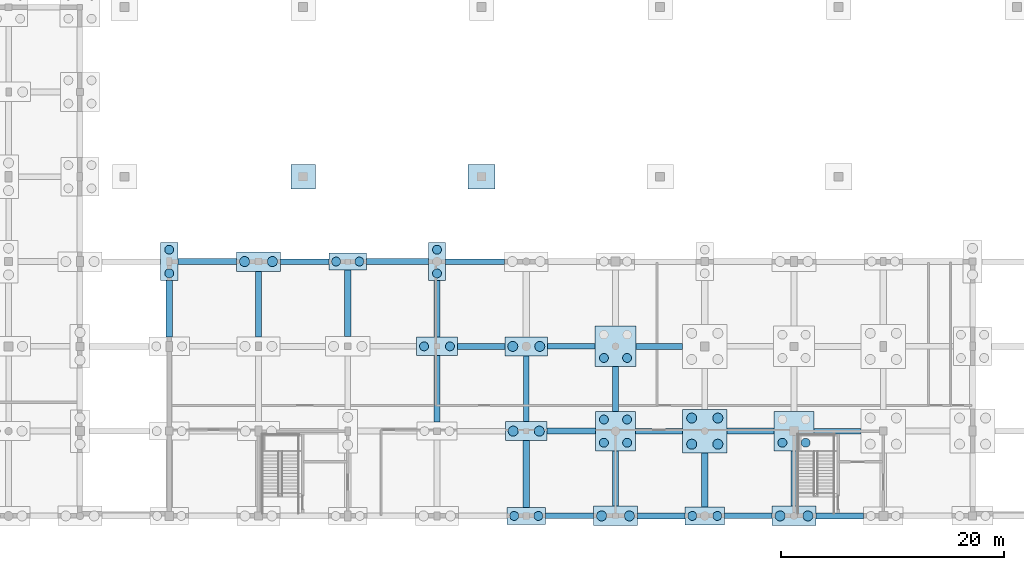
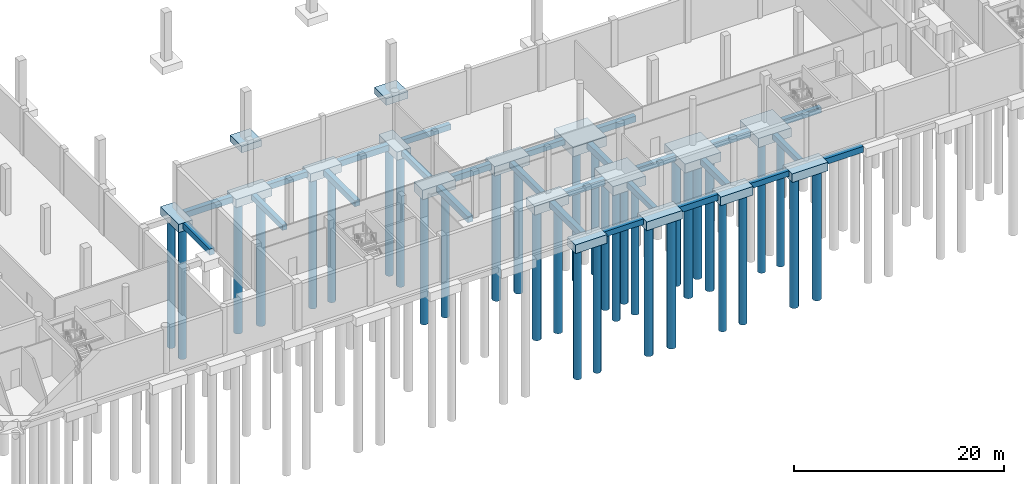
# One storey, part 6 of 44: 43 footings, 34 piles.
"""IFC4 building model written with IfcOpenShell, lengths in metres."""

from ifc_helpers import new_model, si_unit, direction, frame, origin, origin_2d, place, context, subcontext, project, spatial, polyline, circle, outline, extrude, material, material_profile, profile_set, type_object, element, save


model = new_model("IFC4")

# Units and contexts
model_context = context("Model", 3, precision=1e-05, world=origin(), true_north=direction((0.0, 1.0)))
body_context = subcontext(model_context, "Body", "Model", "MODEL_VIEW")
ifc_project = project(units=[si_unit("LENGTHUNIT", "METRE"), si_unit("AREAUNIT", "SQUARE_METRE"), si_unit("VOLUMEUNIT", "CUBIC_METRE"), si_unit("PLANEANGLEUNIT", "RADIAN"), si_unit("MASSUNIT", "GRAM", prefix="KILO")], contexts=[model_context])

# Site, building, storey
site_placement = place(None, origin())
site = spatial("IfcSite", under=ifc_project, at=site_placement, CompositionType="ELEMENT")
building_placement = place(site_placement, origin())
building = spatial("IfcBuilding", under=site, at=building_placement, Name="Khelvaren Railside Concert Hall", CompositionType="ELEMENT")
storey_placement = place(building_placement, frame((0.0, 0.0, -5.39990234375)))
storey = spatial("IfcBuildingStorey", under=building, at=storey_placement, Name="B1", CompositionType="ELEMENT", Elevation=-5.39990234375)

# Piles
ifc_material = material(Name="Concrete C35/45", Category="concrete")
ifc_material_profile_1 = material_profile(ifc_material, circle(Radius=0.449951171875, at=origin_2d()), Name="BP D900")
ifc_profile_set_1 = profile_set([ifc_material_profile_1], Name="Concrete C35/45")
pile_type_1 = type_object("IfcPileType", Name="BP51", PredefinedType="BORED", material=ifc_profile_set_1)
for number, where, z_axis, x_axis, name in (
    (1, (70.75, 22.800048828125, -1.35009765625), (0.0, 0.0, -1.0), (1.0, 0.0, 0.0), "Bored Pile BP51 PC-V3-116-1"),
    (2, (73.25, 22.800048828125, -1.35009765625), (0.0, 0.0, -1.0), (1.0, 0.0, 0.0), "Bored Pile BP51 PC-V3-116-2"),
):
    element("IfcPile", number, at=place(storey_placement, frame(where, z_axis=z_axis, x_axis=x_axis)), inside=storey, type_object=pile_type_1, Name=name, PredefinedType="BORED", context=body_context, shape_type="SweptSolid", body=[
        extrude(circle(Radius=0.449951171875, at=origin_2d()), origin(), (0.0, 0.0, 1.0), 15.25),
    ])
for number, where, z_axis, x_axis, name in (
    (3, (94.830078125, 7.60009765625, -1.4501953125), (0.0, 0.0, -1.0), (1.0, 0.0, 0.0), "Bored Pile BP51 PC-V3-126-1"),
    (4, (97.169921875, 7.60009765625, -1.4501953125), (0.0, 0.0, -1.0), (1.0, 0.0, 0.0), "Bored Pile BP51 PC-V3-126-2"),
):
    element("IfcPile", number, at=place(storey_placement, frame(where, z_axis=z_axis, x_axis=x_axis)), inside=storey, type_object=pile_type_1, Name=name, PredefinedType="BORED", context=body_context, shape_type="SweptSolid", body=[
        extrude(circle(Radius=0.449951171875, at=origin_2d()), origin(), (0.0, 0.0, 1.0), 15.14990234375),
    ])
for number, where, z_axis, x_axis, name in (
    (5, (94.7900390625, 15.199951171875, -1.5), (0.0, 0.0, -1.0), (1.0, 0.0, 0.0), "Bored Pile BP51 PC-V3-127-1"),
    (6, (97.2099609375, 15.199951171875, -1.5), (0.0, 0.0, -1.0), (1.0, 0.0, 0.0), "Bored Pile BP51 PC-V3-127-2"),
):
    element("IfcPile", number, at=place(storey_placement, frame(where, z_axis=z_axis, x_axis=x_axis)), inside=storey, type_object=pile_type_1, Name=name, PredefinedType="BORED", context=body_context, shape_type="SweptSolid", body=[
        extrude(circle(Radius=0.449951171875, at=origin_2d()), origin(), (0.0, 0.0, 1.0), 15.10009765625),
    ])
for number, where, z_axis, x_axis, name in (
    (7, (102.75, 0.0, -1.400146484375), (0.0, 0.0, -1.0), (1.0, 0.0, 0.0), "Bored Pile BP51 PC-V3-129-1"),
    (8, (105.25, 0.0, -1.400146484375), (0.0, 0.0, -1.0), (1.0, 0.0, 0.0), "Bored Pile BP51 PC-V3-129-2"),
):
    element("IfcPile", number, at=place(storey_placement, frame(where, z_axis=z_axis, x_axis=x_axis)), inside=storey, type_object=pile_type_1, Name=name, PredefinedType="BORED", context=body_context, shape_type="SweptSolid", body=[
        extrude(circle(Radius=0.449951171875, at=origin_2d()), origin(), (0.0, 0.0, 1.0), 15.199951171875),
    ])
for number, where, z_axis, x_axis, name in (
    (9, (110.830078125, 6.429931640625, -1.4501953125), (0.0, 0.0, -1.0), (1.0, 0.0, 0.0), "Bored Pile BP51 PC-V3-134-1"),
    (10, (113.169921875, 6.429931640625, -1.4501953125), (0.0, 0.0, -1.0), (1.0, 0.0, 0.0), "Bored Pile BP51 PC-V3-134-2"),
    (11, (110.830078125, 8.77001953125, -1.4501953125), (0.0, 0.0, -1.0), (1.0, 0.0, 0.0), "Bored Pile BP51 PC-V3-134-3"),
    (12, (113.169921875, 8.77001953125, -1.4501953125), (0.0, 0.0, -1.0), (1.0, 0.0, 0.0), "Bored Pile BP51 PC-V3-134-4"),
):
    element("IfcPile", number, at=place(storey_placement, frame(where, z_axis=z_axis, x_axis=x_axis)), inside=storey, type_object=pile_type_1, Name=name, PredefinedType="BORED", context=body_context, shape_type="SweptSolid", body=[
        extrude(circle(Radius=0.449951171875, at=origin_2d()), origin(), (0.0, 0.0, 1.0), 15.14990234375),
    ])
for number, where, z_axis, x_axis, name in (
    (13, (118.75, 0.0, -1.400146484375), (0.0, 0.0, -1.0), (1.0, 0.0, 0.0), "Bored Pile BP51 PC-V3-137-1"),
    (14, (121.25, 0.0, -1.400146484375), (0.0, 0.0, -1.0), (1.0, 0.0, 0.0), "Bored Pile BP51 PC-V3-137-2"),
):
    element("IfcPile", number, at=place(storey_placement, frame(where, z_axis=z_axis, x_axis=x_axis)), inside=storey, type_object=pile_type_1, Name=name, PredefinedType="BORED", context=body_context, shape_type="SweptSolid", body=[
        extrude(circle(Radius=0.449951171875, at=origin_2d()), origin(), (0.0, 0.0, 1.0), 15.199951171875),
    ])
ifc_material_profile_2 = material_profile(ifc_material, circle(Radius=0.39990234375, at=origin_2d()), Name="BP D800")
ifc_profile_set_2 = profile_set([ifc_material_profile_2], Name="Concrete C35/45")
pile_type_2 = type_object("IfcPileType", Name="BP84", PredefinedType="BORED", material=ifc_profile_set_2)
for number, where, z_axis, x_axis, name in (
    (15, (64.0, 21.739990234375, -1.35009765625), (0.0, 0.0, -1.0), (1.0, 0.0, 0.0), "Bored Pile BP84 PC-V3-112-1"),
    (16, (64.0, 23.860107421875, -1.35009765625), (0.0, 0.0, -1.0), (1.0, 0.0, 0.0), "Bored Pile BP84 PC-V3-112-2"),
    (17, (78.9599609375, 22.800048828125, -1.35009765625), (0.0, 0.0, -1.0), (1.0, 0.0, 0.0), "Bored Pile BP84 PC-V3-120-1"),
    (18, (81.0400390625, 22.800048828125, -1.35009765625), (0.0, 0.0, -1.0), (1.0, 0.0, 0.0), "Bored Pile BP84 PC-V3-120-2"),
):
    element("IfcPile", number, at=place(storey_placement, frame(where, z_axis=z_axis, x_axis=x_axis)), inside=storey, type_object=pile_type_2, Name=name, PredefinedType="BORED", context=body_context, shape_type="SweptSolid", body=[
        extrude(circle(Radius=0.39990234375, at=origin_2d()), origin(), (0.0, 0.0, 1.0), 15.25),
    ])
for number, where, z_axis, x_axis, name in (
    (19, (86.840087890625, 15.199951171875, -1.5), (0.0, 0.0, -1.0), (1.0, 0.0, 0.0), "Bored Pile BP84 PC-V3-123-1"),
    (20, (89.159912109375, 15.199951171875, -1.5), (0.0, 0.0, -1.0), (1.0, 0.0, 0.0), "Bored Pile BP84 PC-V3-123-2"),
):
    element("IfcPile", number, at=place(storey_placement, frame(where, z_axis=z_axis, x_axis=x_axis)), inside=storey, type_object=pile_type_2, Name=name, PredefinedType="BORED", context=body_context, shape_type="SweptSolid", body=[
        extrude(circle(Radius=0.39990234375, at=origin_2d()), origin(), (0.0, 0.0, 1.0), 15.10009765625),
    ])
for number, where, z_axis, x_axis, name in (
    (21, (88.0, 21.739990234375, -1.35009765625), (0.0, 0.0, -1.0), (1.0, 0.0, 0.0), "Bored Pile BP84 PC-V3-124-1"),
    (22, (88.0, 23.860107421875, -1.35009765625), (0.0, 0.0, -1.0), (1.0, 0.0, 0.0), "Bored Pile BP84 PC-V3-124-2"),
):
    element("IfcPile", number, at=place(storey_placement, frame(where, z_axis=z_axis, x_axis=x_axis)), inside=storey, type_object=pile_type_2, Name=name, PredefinedType="BORED", context=body_context, shape_type="SweptSolid", body=[
        extrude(circle(Radius=0.39990234375, at=origin_2d()), origin(), (0.0, 0.0, 1.0), 15.25),
    ])
for number, where, z_axis, x_axis, name in (
    (23, (94.919921875, 0.0, -1.400146484375), (0.0, 0.0, -1.0), (1.0, 0.0, 0.0), "Bored Pile BP84 PC-V3-125-1"),
    (24, (97.080078125, 0.0, -1.400146484375), (0.0, 0.0, -1.0), (1.0, 0.0, 0.0), "Bored Pile BP84 PC-V3-125-2"),
):
    element("IfcPile", number, at=place(storey_placement, frame(where, z_axis=z_axis, x_axis=x_axis)), inside=storey, type_object=pile_type_2, Name=name, PredefinedType="BORED", context=body_context, shape_type="SweptSolid", body=[
        extrude(circle(Radius=0.39990234375, at=origin_2d()), origin(), (0.0, 0.0, 1.0), 15.199951171875),
    ])
for number, where, z_axis, x_axis, name in (
    (25, (102.9599609375, 6.56005859375, -1.4501953125), (0.0, 0.0, -1.0), (1.0, 0.0, 0.0), "Bored Pile BP84 PC-V3-130-1"),
    (26, (105.0400390625, 6.56005859375, -1.4501953125), (0.0, 0.0, -1.0), (1.0, 0.0, 0.0), "Bored Pile BP84 PC-V3-130-2"),
    (27, (102.9599609375, 8.639892578125, -1.4501953125), (0.0, 0.0, -1.0), (1.0, 0.0, 0.0), "Bored Pile BP84 PC-V3-130-3"),
    (28, (105.0400390625, 8.639892578125, -1.4501953125), (0.0, 0.0, -1.0), (1.0, 0.0, 0.0), "Bored Pile BP84 PC-V3-130-4"),
):
    element("IfcPile", number, at=place(storey_placement, frame(where, z_axis=z_axis, x_axis=x_axis)), inside=storey, type_object=pile_type_2, Name=name, PredefinedType="BORED", context=body_context, shape_type="SweptSolid", body=[
        extrude(circle(Radius=0.39990234375, at=origin_2d()), origin(), (0.0, 0.0, 1.0), 15.14990234375),
    ])
for number, where, z_axis, x_axis, name in (
    (29, (102.9599609375, 14.159912109375, -1.5), (0.0, 0.0, -1.0), (1.0, 0.0, 0.0), "Bored Pile BP84 PC-V3-131-1"),
    (30, (105.0400390625, 14.159912109375, -1.5), (0.0, 0.0, -1.0), (1.0, 0.0, 0.0), "Bored Pile BP84 PC-V3-131-2"),
):
    element("IfcPile", number, at=place(storey_placement, frame(where, z_axis=z_axis, x_axis=x_axis)), inside=storey, type_object=pile_type_2, Name=name, PredefinedType="BORED", context=body_context, shape_type="SweptSolid", body=[
        extrude(circle(Radius=0.39990234375, at=origin_2d()), origin(), (0.0, 0.0, 1.0), 15.10009765625),
    ])
for number, where, z_axis, x_axis, name in (
    (31, (110.8798828125, 0.0, -1.400146484375), (0.0, 0.0, -1.0), (1.0, 0.0, 0.0), "Bored Pile BP84 PC-V3-133-1"),
    (32, (113.1201171875, 0.0, -1.400146484375), (0.0, 0.0, -1.0), (1.0, 0.0, 0.0), "Bored Pile BP84 PC-V3-133-2"),
):
    element("IfcPile", number, at=place(storey_placement, frame(where, z_axis=z_axis, x_axis=x_axis)), inside=storey, type_object=pile_type_2, Name=name, PredefinedType="BORED", context=body_context, shape_type="SweptSolid", body=[
        extrude(circle(Radius=0.39990234375, at=origin_2d()), origin(), (0.0, 0.0, 1.0), 15.199951171875),
    ])
for number, where, z_axis, x_axis, name in (
    (33, (118.9599609375, 6.56005859375, -1.4501953125), (0.0, 0.0, -1.0), (1.0, 0.0, 0.0), "Bored Pile BP84 PC-V3-138-1"),
    (34, (121.0400390625, 6.56005859375, -1.4501953125), (0.0, 0.0, -1.0), (1.0, 0.0, 0.0), "Bored Pile BP84 PC-V3-138-2"),
):
    element("IfcPile", number, at=place(storey_placement, frame(where, z_axis=z_axis, x_axis=x_axis)), inside=storey, type_object=pile_type_2, Name=name, PredefinedType="BORED", context=body_context, shape_type="SweptSolid", body=[
        extrude(circle(Radius=0.39990234375, at=origin_2d()), origin(), (0.0, 0.0, 1.0), 15.14990234375),
    ])

# Footings
footing_type_1 = type_object("IfcFootingType", Name="GB49", PredefinedType="FOOTING_BEAM", material=ifc_material)
footing_1_placement = place(storey_placement, frame((0.0, 0.0, -1.150146484375)))
element("IfcFooting", 35, at=footing_1_placement, inside=storey, type_object=footing_type_1, Name="Ground Tie Beam GB49 13", PredefinedType="FOOTING_BEAM", context=body_context, shape_type="SweptSolid", body=[
    extrude(outline(polyline([(97.739990234375, -0.25), (102.0400390625, -0.25), (102.0400390625, 0.25), (97.739990234375, 0.25), (97.739990234375, -0.25)])), origin(), (0.0, 0.0, 1.0), 0.650146484375),
])
footing_2_placement = place(storey_placement, frame((0.0, 0.0, -1.150146484375)))
element("IfcFooting", 36, at=footing_2_placement, inside=storey, type_object=footing_type_1, Name="Ground Tie Beam GB49 15", PredefinedType="FOOTING_BEAM", context=body_context, shape_type="SweptSolid", body=[
    extrude(outline(polyline([(113.780029296875, -0.25), (118.0400390625, -0.25), (118.0400390625, 0.25), (113.780029296875, 0.25), (113.780029296875, -0.25)])), origin(), (0.0, 0.0, 1.0), 0.650146484375),
])
footing_3_placement = place(storey_placement, frame((0.0, 0.0, -1.150146484375)))
element("IfcFooting", 37, at=footing_3_placement, inside=storey, type_object=footing_type_1, Name="Ground Tie Beam GB49 37", PredefinedType="FOOTING_BEAM", context=body_context, shape_type="SweptSolid", body=[
    extrude(outline(polyline([(105.800048828125, 7.35009765625), (110.02001953125, 7.35009765625), (110.02001953125, 7.85009765625), (105.800048828125, 7.85009765625), (105.800048828125, 7.35009765625)])), origin(), (0.0, 0.0, 1.0), 0.650146484375),
])
footing_4_placement = place(storey_placement, frame((0.0, 0.0, -1.150146484375)))
element("IfcFooting", 38, at=footing_4_placement, inside=storey, type_object=footing_type_1, Name="Ground Tie Beam GB49 39", PredefinedType="FOOTING_BEAM", context=body_context, shape_type="SweptSolid", body=[
    extrude(outline(polyline([(121.800048828125, 7.35009765625), (126.02001953125, 7.35009765625), (126.02001953125, 7.85009765625), (121.800048828125, 7.85009765625), (121.800048828125, 7.35009765625)])), origin(), (0.0, 0.0, 1.0), 0.650146484375),
])
footing_5_placement = place(storey_placement, frame((0.0, 0.0, -1.150146484375)))
element("IfcFooting", 39, at=footing_5_placement, inside=storey, type_object=footing_type_1, Name="Ground Tie Beam GB49 59", PredefinedType="FOOTING_BEAM", context=body_context, shape_type="SweptSolid", body=[
    extrude(outline(polyline([(97.919921875, 14.949951171875), (102.159912109375, 14.949951171875), (102.159912109375, 15.449951171875), (97.919921875, 15.449951171875), (97.919921875, 14.949951171875)])), origin(), (0.0, 0.0, 1.0), 0.650146484375),
])
footing_6_placement = place(storey_placement, frame((0.0, 0.0, -1.150146484375)))
element("IfcFooting", 40, at=footing_6_placement, inside=storey, type_object=footing_type_1, Name="Ground Tie Beam GB49 79", PredefinedType="FOOTING_BEAM", context=body_context, shape_type="SweptSolid", body=[
    extrude(outline(polyline([(73.9599609375, 22.550048828125), (78.300048828125, 22.550048828125), (78.300048828125, 23.050048828125), (73.9599609375, 23.050048828125), (73.9599609375, 22.550048828125)])), origin(), (0.0, 0.0, 1.0), 0.650146484375),
])
footing_7_placement = place(storey_placement, frame((0.0, 0.0, -1.150146484375)))
element("IfcFooting", 41, at=footing_7_placement, inside=storey, type_object=footing_type_1, Name="Ground Tie Beam GB49 81", PredefinedType="FOOTING_BEAM", context=body_context, shape_type="SweptSolid", body=[
    extrude(outline(polyline([(88.77490234375, 22.550048828125), (94.0400390625, 22.550048828125), (94.0400390625, 23.050048828125), (88.77490234375, 23.050048828125), (88.77490234375, 22.550048828125)])), origin(), (0.0, 0.0, 1.0), 0.650146484375),
])
footing_8_placement = place(storey_placement, frame((0.0, 0.0, -1.150146484375)))
element("IfcFooting", 42, at=footing_8_placement, inside=storey, type_object=footing_type_1, Name="Ground Tie Beam GB49 309", PredefinedType="FOOTING_BEAM", context=body_context, shape_type="SweptSolid", body=[
    extrude(outline(polyline([(71.75, 16.06005859375), (72.25, 16.06005859375), (72.25, 21.925048828125), (71.75, 21.925048828125), (71.75, 16.06005859375)])), origin(), (0.0, 0.0, 1.0), 0.650146484375),
])
footing_9_placement = place(storey_placement, frame((0.0, 0.0, -1.150146484375)))
element("IfcFooting", 43, at=footing_9_placement, inside=storey, type_object=footing_type_1, Name="Ground Tie Beam GB49 315", PredefinedType="FOOTING_BEAM", context=body_context, shape_type="SweptSolid", body=[
    extrude(outline(polyline([(87.75, 16.02490234375), (88.25, 16.02490234375), (88.25, 21.080078125), (87.75, 21.080078125), (87.75, 16.02490234375)])), origin(), (0.0, 0.0, 1.0), 0.650146484375),
])
footing_10_placement = place(storey_placement, frame((0.0, 0.0, -1.150146484375)))
element("IfcFooting", 44, at=footing_10_placement, inside=storey, type_object=footing_type_1, Name="Ground Tie Beam GB49 317", PredefinedType="FOOTING_BEAM", context=body_context, shape_type="SweptSolid", body=[
    extrude(outline(polyline([(95.75, 8.449951171875), (96.25, 8.449951171875), (96.25, 14.340087890625), (95.75, 14.340087890625), (95.75, 8.449951171875)])), origin(), (0.0, 0.0, 1.0), 0.650146484375),
])
footing_11_placement = place(storey_placement, frame((0.0, 0.0, -1.150146484375)))
element("IfcFooting", 45, at=footing_11_placement, inside=storey, type_object=footing_type_1, Name="Ground Tie Beam GB49 319", PredefinedType="FOOTING_BEAM", context=body_context, shape_type="SweptSolid", body=[
    extrude(outline(polyline([(103.75, 0.875), (104.25, 0.875), (104.25, 5.820068359375), (103.75, 5.820068359375), (103.75, 0.875)])), origin(), (0.0, 0.0, 1.0), 0.650146484375),
])
footing_12_placement = place(storey_placement, frame((0.0, 0.0, -1.150146484375)))
element("IfcFooting", 46, at=footing_12_placement, inside=storey, type_object=footing_type_1, Name="Ground Tie Beam GB49 325", PredefinedType="FOOTING_BEAM", context=body_context, shape_type="SweptSolid", body=[
    extrude(outline(polyline([(119.75, 0.875), (120.25, 0.875), (120.25, 5.820068359375), (119.75, 5.820068359375), (119.75, 0.875)])), origin(), (0.0, 0.0, 1.0), 0.650146484375),
])
footing_type_2 = type_object("IfcFootingType", Name="GB57", PredefinedType="FOOTING_BEAM", material=ifc_material)
footing_13_placement = place(storey_placement, frame((0.0, 0.0, -1.2001953125)))
element("IfcFooting", 47, at=footing_13_placement, inside=storey, type_object=footing_type_2, Name="Ground Tie Beam GB57 14", PredefinedType="FOOTING_BEAM", context=body_context, shape_type="SweptSolid", body=[
    extrude(outline(polyline([(105.9599609375, -0.27490234375), (110.219970703125, -0.27490234375), (110.219970703125, 0.27490234375), (105.9599609375, 0.27490234375), (105.9599609375, -0.27490234375)])), origin(), (0.0, 0.0, 1.0), 0.7001953125),
])
footing_14_placement = place(storey_placement, frame((0.0, 0.0, -1.2001953125)))
element("IfcFooting", 48, at=footing_14_placement, inside=storey, type_object=footing_type_2, Name="Ground Tie Beam GB57 16", PredefinedType="FOOTING_BEAM", context=body_context, shape_type="SweptSolid", body=[
    extrude(outline(polyline([(121.9599609375, -0.27490234375), (126.219970703125, -0.27490234375), (126.219970703125, 0.27490234375), (121.9599609375, 0.27490234375), (121.9599609375, -0.27490234375)])), origin(), (0.0, 0.0, 1.0), 0.7001953125),
])
footing_15_placement = place(storey_placement, frame((0.0, 0.0, -1.2001953125)))
element("IfcFooting", 49, at=footing_15_placement, inside=storey, type_object=footing_type_2, Name="Ground Tie Beam GB57 36", PredefinedType="FOOTING_BEAM", context=body_context, shape_type="SweptSolid", body=[
    extrude(outline(polyline([(97.8798828125, 7.324951171875), (102.199951171875, 7.324951171875), (102.199951171875, 7.875), (97.8798828125, 7.875), (97.8798828125, 7.324951171875)])), origin(), (0.0, 0.0, 1.0), 0.7001953125),
])
footing_16_placement = place(storey_placement, frame((0.0, 0.0, -1.2001953125)))
element("IfcFooting", 50, at=footing_16_placement, inside=storey, type_object=footing_type_2, Name="Ground Tie Beam GB57 38", PredefinedType="FOOTING_BEAM", context=body_context, shape_type="SweptSolid", body=[
    extrude(outline(polyline([(113.97998046875, 7.324951171875), (118.199951171875, 7.324951171875), (118.199951171875, 7.875), (113.97998046875, 7.875), (113.97998046875, 7.324951171875)])), origin(), (0.0, 0.0, 1.0), 0.7001953125),
])
footing_17_placement = place(storey_placement, frame((0.0, 0.0, -1.2001953125)))
element("IfcFooting", 51, at=footing_17_placement, inside=storey, type_object=footing_type_2, Name="Ground Tie Beam GB57 58", PredefinedType="FOOTING_BEAM", context=body_context, shape_type="SweptSolid", body=[
    extrude(outline(polyline([(89.820068359375, 14.925048828125), (94.080078125, 14.925048828125), (94.080078125, 15.47509765625), (89.820068359375, 15.47509765625), (89.820068359375, 14.925048828125)])), origin(), (0.0, 0.0, 1.0), 0.7001953125),
])
footing_18_placement = place(storey_placement, frame((0.0, 0.0, -1.2001953125)))
element("IfcFooting", 52, at=footing_18_placement, inside=storey, type_object=footing_type_2, Name="Ground Tie Beam GB57 60", PredefinedType="FOOTING_BEAM", context=body_context, shape_type="SweptSolid", body=[
    extrude(outline(polyline([(105.840087890625, 14.925048828125), (110.0, 14.925048828125), (110.0, 15.47509765625), (105.840087890625, 15.47509765625), (105.840087890625, 14.925048828125)])), origin(), (0.0, 0.0, 1.0), 0.7001953125),
])
footing_19_placement = place(storey_placement, frame((0.0, 0.0, -1.2001953125)))
element("IfcFooting", 53, at=footing_19_placement, inside=storey, type_object=footing_type_2, Name="Ground Tie Beam GB57 78", PredefinedType="FOOTING_BEAM", context=body_context, shape_type="SweptSolid", body=[
    extrude(outline(polyline([(64.77490234375, 22.52490234375), (70.0400390625, 22.52490234375), (70.0400390625, 23.074951171875), (64.77490234375, 23.074951171875), (64.77490234375, 22.52490234375)])), origin(), (0.0, 0.0, 1.0), 0.7001953125),
])
footing_20_placement = place(storey_placement, frame((0.0, 0.0, -1.2001953125)))
element("IfcFooting", 54, at=footing_20_placement, inside=storey, type_object=footing_type_2, Name="Ground Tie Beam GB57 80", PredefinedType="FOOTING_BEAM", context=body_context, shape_type="SweptSolid", body=[
    extrude(outline(polyline([(81.699951171875, 22.52490234375), (87.22509765625, 22.52490234375), (87.22509765625, 23.074951171875), (81.699951171875, 23.074951171875), (81.699951171875, 22.52490234375)])), origin(), (0.0, 0.0, 1.0), 0.7001953125),
])
footing_21_placement = place(storey_placement, frame((0.0, 0.0, -1.2001953125)))
element("IfcFooting", 55, at=footing_21_placement, inside=storey, type_object=footing_type_2, Name="Ground Tie Beam GB57 306", PredefinedType="FOOTING_BEAM", context=body_context, shape_type="SweptSolid", body=[
    extrude(outline(polyline([(63.72509765625, 16.02490234375), (64.27490234375, 16.02490234375), (64.27490234375, 21.080078125), (63.72509765625, 21.080078125), (63.72509765625, 16.02490234375)])), origin(), (0.0, 0.0, 1.0), 0.7001953125),
])
footing_22_placement = place(storey_placement, frame((0.0, 0.0, -1.2001953125)))
element("IfcFooting", 56, at=footing_22_placement, inside=storey, type_object=footing_type_2, Name="Ground Tie Beam GB57 312", PredefinedType="FOOTING_BEAM", context=body_context, shape_type="SweptSolid", body=[
    extrude(outline(polyline([(79.72509765625, 16.074951171875), (80.27490234375, 16.074951171875), (80.27490234375, 22.050048828125), (79.72509765625, 22.050048828125), (79.72509765625, 16.074951171875)])), origin(), (0.0, 0.0, 1.0), 0.7001953125),
])
footing_23_placement = place(storey_placement, frame((0.0, 0.0, -1.2001953125)))
element("IfcFooting", 57, at=footing_23_placement, inside=storey, type_object=footing_type_2, Name="Ground Tie Beam GB57 314", PredefinedType="FOOTING_BEAM", context=body_context, shape_type="SweptSolid", body=[
    extrude(outline(polyline([(87.72509765625, 8.39990234375), (88.27490234375, 8.39990234375), (88.27490234375, 14.375), (87.72509765625, 14.375), (87.72509765625, 8.39990234375)])), origin(), (0.0, 0.0, 1.0), 0.7001953125),
])
footing_24_placement = place(storey_placement, frame((0.0, 0.0, -1.2001953125)))
element("IfcFooting", 58, at=footing_24_placement, inside=storey, type_object=footing_type_2, Name="Ground Tie Beam GB57 316", PredefinedType="FOOTING_BEAM", context=body_context, shape_type="SweptSolid", body=[
    extrude(outline(polyline([(95.72509765625, 0.77490234375), (96.27490234375, 0.77490234375), (96.27490234375, 6.75), (95.72509765625, 6.75), (95.72509765625, 0.77490234375)])), origin(), (0.0, 0.0, 1.0), 0.7001953125),
])
footing_25_placement = place(storey_placement, frame((0.0, 0.0, -1.2001953125)))
element("IfcFooting", 59, at=footing_25_placement, inside=storey, type_object=footing_type_2, Name="Ground Tie Beam GB57 320", PredefinedType="FOOTING_BEAM", context=body_context, shape_type="SweptSolid", body=[
    extrude(outline(polyline([(103.72509765625, 9.3798828125), (104.27490234375, 9.3798828125), (104.27490234375, 13.3798828125), (103.72509765625, 13.3798828125), (103.72509765625, 9.3798828125)])), origin(), (0.0, 0.0, 1.0), 0.7001953125),
])
footing_26_placement = place(storey_placement, frame((0.0, 0.0, -1.2001953125)))
element("IfcFooting", 60, at=footing_26_placement, inside=storey, type_object=footing_type_2, Name="Ground Tie Beam GB57 322", PredefinedType="FOOTING_BEAM", context=body_context, shape_type="SweptSolid", body=[
    extrude(outline(polyline([(111.72509765625, 0.800048828125), (112.27490234375, 0.800048828125), (112.27490234375, 5.639892578125), (111.72509765625, 5.639892578125), (111.72509765625, 0.800048828125)])), origin(), (0.0, 0.0, 1.0), 0.7001953125),
])
footing_type_3 = type_object("IfcFootingType", Name="PC13", PredefinedType="PILE_CAP", material=ifc_material)
footing_27_placement = place(storey_placement, frame((0.0, 0.0, -1.550048828125)))
element("IfcFooting", 61, at=footing_27_placement, inside=storey, type_object=footing_type_3, Name="Pile Cap PC13 (112.0,7.6)", PredefinedType="PILE_CAP", context=body_context, shape_type="SweptSolid", body=[
    extrude(outline(polyline([(110.02001953125, 5.639892578125), (113.97998046875, 5.639892578125), (113.97998046875, 9.56005859375), (110.02001953125, 9.56005859375), (110.02001953125, 5.639892578125)])), origin(), (0.0, 0.0, 1.0), 1.050048828125),
])
footing_type_4 = type_object("IfcFootingType", Name="PC23", PredefinedType="PILE_CAP", material=ifc_material)
footing_28_placement = place(storey_placement, frame((0.0, 0.0, -1.4501953125)))
element("IfcFooting", 62, at=footing_28_placement, inside=storey, type_object=footing_type_4, Name="Pile Cap PC23 (72.0,22.8)", PredefinedType="PILE_CAP", context=body_context, shape_type="SweptSolid", body=[
    extrude(outline(polyline([(70.0400390625, 21.925048828125), (73.9599609375, 21.925048828125), (73.9599609375, 23.675048828125), (70.0400390625, 23.675048828125), (70.0400390625, 21.925048828125)])), origin(), (0.0, 0.0, 1.0), 0.9501953125),
])
footing_type_5 = type_object("IfcFootingType", Name="PC25", PredefinedType="PILE_CAP", material=ifc_material)
footing_29_placement = place(storey_placement, frame((0.0, 0.0, -1.60009765625)))
element("IfcFooting", 63, at=footing_29_placement, inside=storey, type_object=footing_type_5, Name="Pile Cap PC25 (96.0,15.2)", PredefinedType="PILE_CAP", context=body_context, shape_type="SweptSolid", body=[
    extrude(outline(polyline([(94.080078125, 14.340087890625), (97.919921875, 14.340087890625), (97.919921875, 16.06005859375), (94.080078125, 16.06005859375), (94.080078125, 14.340087890625)])), origin(), (0.0, 0.0, 1.0), 1.10009765625),
])
footing_type_6 = type_object("IfcFootingType", Name="PC33", PredefinedType="PILE_CAP", material=ifc_material)
footing_30_placement = place(storey_placement, frame((0.0, 0.0, -1.60009765625)))
element("IfcFooting", 64, at=footing_30_placement, inside=storey, type_object=footing_type_6, Name="Pile Cap PC33 (88.0,15.2)", PredefinedType="PILE_CAP", context=body_context, shape_type="SweptSolid", body=[
    extrude(outline(polyline([(86.179931640625, 14.375), (89.820068359375, 14.375), (89.820068359375, 16.02490234375), (86.179931640625, 16.02490234375), (86.179931640625, 14.375)])), origin(), (0.0, 0.0, 1.0), 1.10009765625),
])
footing_type_7 = type_object("IfcFootingType", Name="PC42", PredefinedType="PILE_CAP", material=ifc_material)
footing_31_placement = place(storey_placement, frame((0.0, 0.0, -1.60009765625)))
element("IfcFooting", 65, at=footing_31_placement, inside=storey, type_object=footing_type_7, Name="Pile Cap PC42 (104.0,15.2)", PredefinedType="PILE_CAP", context=body_context, shape_type="SweptSolid", body=[
    extrude(outline(polyline([(102.159912109375, 13.3798828125), (105.840087890625, 13.3798828125), (105.840087890625, 17.02001953125), (102.159912109375, 17.02001953125), (102.159912109375, 13.3798828125)])), origin(), (0.0, 0.0, 1.0), 1.10009765625),
])
footing_type_8 = type_object("IfcFootingType", Name="PC47", PredefinedType="PILE_CAP", material=ifc_material)
footing_32_placement = place(storey_placement, frame((0.0, 0.0, -1.5)))
element("IfcFooting", 66, at=footing_32_placement, inside=storey, type_object=footing_type_8, Name="Pile Cap PC47 (104.0,0.0)", PredefinedType="PILE_CAP", context=body_context, shape_type="SweptSolid", body=[
    extrude(outline(polyline([(102.0400390625, -0.875), (105.9599609375, -0.875), (105.9599609375, 0.875), (102.0400390625, 0.875), (102.0400390625, -0.875)])), origin(), (0.0, 0.0, 1.0), 1.0),
])
footing_33_placement = place(storey_placement, frame((0.0, 0.0, -1.5)))
element("IfcFooting", 67, at=footing_33_placement, inside=storey, type_object=footing_type_8, Name="Pile Cap PC47 (120.0,0.0)", PredefinedType="PILE_CAP", context=body_context, shape_type="SweptSolid", body=[
    extrude(outline(polyline([(118.0400390625, -0.875), (121.9599609375, -0.875), (121.9599609375, 0.875), (118.0400390625, 0.875), (118.0400390625, -0.875)])), origin(), (0.0, 0.0, 1.0), 1.0),
])
footing_type_9 = type_object("IfcFootingType", Name="PC58", PredefinedType="PILE_CAP", material=ifc_material)
footing_34_placement = place(storey_placement, frame((0.0, 0.0, -1.550048828125)))
element("IfcFooting", 68, at=footing_34_placement, inside=storey, type_object=footing_type_9, Name="Pile Cap PC58 (96.0,7.6)", PredefinedType="PILE_CAP", context=body_context, shape_type="SweptSolid", body=[
    extrude(outline(polyline([(94.1201171875, 6.75), (97.8798828125, 6.75), (97.8798828125, 8.449951171875), (94.1201171875, 8.449951171875), (94.1201171875, 6.75)])), origin(), (0.0, 0.0, 1.0), 1.050048828125),
])
footing_type_10 = type_object("IfcFootingType", Name="PC67", PredefinedType="PILE_CAP", material=ifc_material)
footing_35_placement = place(storey_placement, frame((0.0, 0.0, -1.5)))
element("IfcFooting", 69, at=footing_35_placement, inside=storey, type_object=footing_type_10, Name="Pile Cap PC67 (112.0,0.0)", PredefinedType="PILE_CAP", context=body_context, shape_type="SweptSolid", body=[
    extrude(outline(polyline([(110.219970703125, -0.800048828125), (113.780029296875, -0.800048828125), (113.780029296875, 0.800048828125), (110.219970703125, 0.800048828125), (110.219970703125, -0.800048828125)])), origin(), (0.0, 0.0, 1.0), 1.0),
])
footing_type_11 = type_object("IfcFootingType", Name="PC68", PredefinedType="PILE_CAP", material=ifc_material)
footing_36_placement = place(storey_placement, frame((0.0, 0.0, -1.4501953125)))
element("IfcFooting", 70, at=footing_36_placement, inside=storey, type_object=footing_type_11, Name="Pile Cap PC68 (80.0,22.8)", PredefinedType="PILE_CAP", context=body_context, shape_type="SweptSolid", body=[
    extrude(outline(polyline([(78.300048828125, 22.050048828125), (81.699951171875, 22.050048828125), (81.699951171875, 23.550048828125), (78.300048828125, 23.550048828125), (78.300048828125, 22.050048828125)])), origin(), (0.0, 0.0, 1.0), 0.9501953125),
])
footing_type_12 = type_object("IfcFootingType", Name="PC90", PredefinedType="PILE_CAP", material=ifc_material)
footing_37_placement = place(storey_placement, frame((0.0, 0.0, -1.550048828125)))
element("IfcFooting", 71, at=footing_37_placement, inside=storey, type_object=footing_type_12, Name="Pile Cap PC90 (104.0,7.6)", PredefinedType="PILE_CAP", context=body_context, shape_type="SweptSolid", body=[
    extrude(outline(polyline([(102.199951171875, 5.820068359375), (105.800048828125, 5.820068359375), (105.800048828125, 9.3798828125), (102.199951171875, 9.3798828125), (102.199951171875, 5.820068359375)])), origin(), (0.0, 0.0, 1.0), 1.050048828125),
])
footing_38_placement = place(storey_placement, frame((0.0, 0.0, -1.550048828125)))
element("IfcFooting", 72, at=footing_38_placement, inside=storey, type_object=footing_type_12, Name="Pile Cap PC90 (120.0,7.6)", PredefinedType="PILE_CAP", context=body_context, shape_type="SweptSolid", body=[
    extrude(outline(polyline([(118.199951171875, 5.820068359375), (121.800048828125, 5.820068359375), (121.800048828125, 9.3798828125), (118.199951171875, 9.3798828125), (118.199951171875, 5.820068359375)])), origin(), (0.0, 0.0, 1.0), 1.050048828125),
])
footing_type_13 = type_object("IfcFootingType", Name="PC93", PredefinedType="PILE_CAP", material=ifc_material)
footing_39_placement = place(storey_placement, frame((0.0, 0.0, -1.5)))
element("IfcFooting", 73, at=footing_39_placement, inside=storey, type_object=footing_type_13, Name="Pile Cap PC93 (96.0,0.0)", PredefinedType="PILE_CAP", context=body_context, shape_type="SweptSolid", body=[
    extrude(outline(polyline([(94.260009765625, -0.77490234375), (97.739990234375, -0.77490234375), (97.739990234375, 0.77490234375), (94.260009765625, 0.77490234375), (94.260009765625, -0.77490234375)])), origin(), (0.0, 0.0, 1.0), 1.0),
])
footing_type_14 = type_object("IfcFootingType", Name="PC94", PredefinedType="PILE_CAP", material=ifc_material)
footing_40_placement = place(storey_placement, frame((0.0, 0.0, -1.4501953125)))
element("IfcFooting", 74, at=footing_40_placement, inside=storey, type_object=footing_type_14, Name="Pile Cap PC94 (64.0,22.8)", PredefinedType="PILE_CAP", context=body_context, shape_type="SweptSolid", body=[
    extrude(outline(polyline([(63.22509765625, 21.080078125), (64.77490234375, 21.080078125), (64.77490234375, 24.52001953125), (63.22509765625, 24.52001953125), (63.22509765625, 21.080078125)])), origin(), (0.0, 0.0, 1.0), 0.9501953125),
])
footing_41_placement = place(storey_placement, frame((0.0, 0.0, -1.4501953125)))
element("IfcFooting", 75, at=footing_41_placement, inside=storey, type_object=footing_type_14, Name="Pile Cap PC94 (88.0,22.8)", PredefinedType="PILE_CAP", context=body_context, shape_type="SweptSolid", body=[
    extrude(outline(polyline([(87.22509765625, 21.080078125), (88.77490234375, 21.080078125), (88.77490234375, 24.52001953125), (87.22509765625, 24.52001953125), (87.22509765625, 21.080078125)])), origin(), (0.0, 0.0, 1.0), 0.9501953125),
])
footing_type_15 = type_object("IfcFootingType", Name="PF31", PredefinedType="PAD_FOOTING", material=ifc_material)
footing_42_placement = place(storey_placement, frame((0.0, 0.0, -1.25)))
element("IfcFooting", 76, at=footing_42_placement, inside=storey, type_object=footing_type_15, Name="Pad Footing PF31 2", PredefinedType="PAD_FOOTING", context=body_context, shape_type="SweptSolid", body=[
    extrude(outline(polyline([(74.89990234375, 29.300048828125), (77.10009765625, 29.300048828125), (77.10009765625, 31.5), (74.89990234375, 31.5), (74.89990234375, 29.300048828125)])), origin(), (0.0, 0.0, 1.0), 0.75),
])
footing_type_16 = type_object("IfcFootingType", Name="PF37", PredefinedType="PAD_FOOTING", material=ifc_material)
footing_43_placement = place(storey_placement, frame((0.0, 0.0, -1.300048828125)))
element("IfcFooting", 77, at=footing_43_placement, inside=storey, type_object=footing_type_16, Name="Pad Footing PF37 3", PredefinedType="PAD_FOOTING", context=body_context, shape_type="SweptSolid", body=[
    extrude(outline(polyline([(90.800048828125, 29.300048828125), (93.199951171875, 29.300048828125), (93.199951171875, 31.5), (90.800048828125, 31.5), (90.800048828125, 29.300048828125)])), origin(), (0.0, 0.0, 1.0), 0.800048828125),
])

save(model, "model.ifc")
